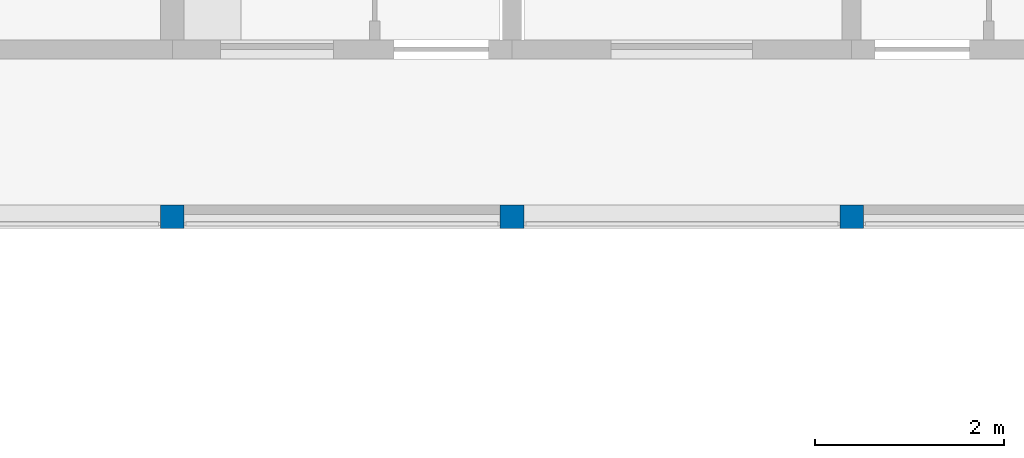
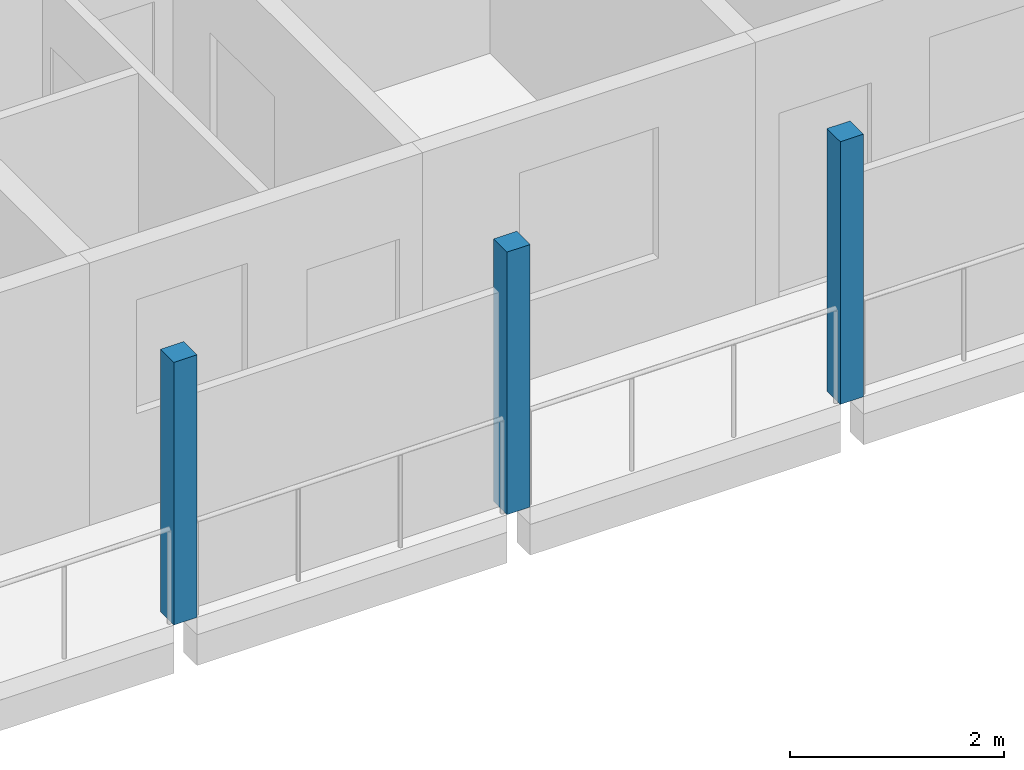
# One storey, part 9 of 122: 3 columns.
"""IFC4 building model written with IfcOpenShell, lengths in metres."""

import ifcopenshell
import ifcopenshell.guid

model = None  # the IFC model being written
_history = None  # IfcOwnerHistory: only IFC2X3 demands one
_inside = {}  # id of a spatial element -> (the spatial element, [elements in it])
_under = {}  # id of a project, library or spatial element -> (it, [spatial elements below it])
_declared = {}  # id of a project -> (the project, [libraries it declares])
_typed = {}  # id of a type object -> (the type object, [elements of that type])
_made_of = {}  # id of a material, layer set ... -> (it, [elements and type objects made of it])


def new_model(schema):
    """Start an empty IFC model of exactly this schema.

    Asked for "IFC4X3", IfcOpenShell would pick the latest addendum, in which some entities
    have other attributes; the version numbers below select the first issue.
    IFC2X3 requires an IfcOwnerHistory on every rooted entity: one is made here for all.
    """
    global model, _history
    if schema == "IFC4X3":
        model = ifcopenshell.file(schema_version=(4, 3, 0, 0))
    else:
        model = ifcopenshell.file(schema=schema)
    _inside.clear()
    _under.clear()
    _declared.clear()
    _typed.clear()
    _made_of.clear()
    _history = None
    if model.schema == "IFC2X3":
        org = make("IfcOrganization", Name="unknown")
        user = make(
            "IfcPersonAndOrganization",
            ThePerson=make("IfcPerson", FamilyName="unknown"),
            TheOrganization=org,
        )
        app = make(
            "IfcApplication",
            ApplicationDeveloper=org,
            Version="unknown",
            ApplicationFullName="unknown",
            ApplicationIdentifier="unknown",
        )
        _history = make(
            "IfcOwnerHistory",
            OwningUser=user,
            OwningApplication=app,
            ChangeAction="ADDED",
            CreationDate=0,
        )
    return model


def make(cls, **values):
    """One entity of the class cls with the attributes given. An attribute that is None is left unset."""
    return model.create_entity(
        cls, **{name: value for name, value in values.items() if value is not None}
    )


def rooted(cls, **values):
    """An entity with a GlobalId (a new one), such as an element, a storey or a relation."""
    return make(cls, GlobalId=ifcopenshell.guid.new(), OwnerHistory=_history, **values)


def si_unit(unit_type, name, prefix=None):
    """IfcSIUnit, for example si_unit("LENGTHUNIT", "METRE", prefix="MILLI")."""
    return make("IfcSIUnit", UnitType=unit_type, Prefix=prefix, Name=name)


def assignment(units):
    """IfcUnitAssignment: the units of a project."""
    return None if units is None else make("IfcUnitAssignment", Units=units)


def point(xyz):
    """IfcCartesianPoint."""
    return None if xyz is None else make("IfcCartesianPoint", Coordinates=xyz)


def direction(xyz):
    """IfcDirection."""
    return None if xyz is None else make("IfcDirection", DirectionRatios=xyz)


def frame(location, z_axis=None, x_axis=None):
    """IfcAxis2Placement3D, a coordinate frame: its origin and axes. An axis left out is left unset."""
    return make(
        "IfcAxis2Placement3D",
        Location=point(location),
        Axis=direction(z_axis),
        RefDirection=direction(x_axis),
    )


def frame_2d(location, x_axis=None):
    """IfcAxis2Placement2D, a coordinate frame in the plane: its origin and x axis."""
    return make(
        "IfcAxis2Placement2D", Location=point(location), RefDirection=direction(x_axis)
    )


def origin():
    """The frame at (0, 0, 0) with its axes left unset."""
    return frame((0.0, 0.0, 0.0))


def origin_2d():
    """The frame at (0, 0) in the plane with its x axis left unset."""
    return frame_2d((0.0, 0.0))


def place(relative_to, where):
    """IfcLocalPlacement: puts the frame where relative to a parent placement (None: the world)."""
    return make(
        "IfcLocalPlacement", PlacementRelTo=relative_to, RelativePlacement=where
    )


def context(
    kind, dimensions, precision=None, world=None, true_north=None, identifier=None
):
    """IfcGeometricRepresentationContext, for example the 3D "Model" context."""
    return make(
        "IfcGeometricRepresentationContext",
        ContextIdentifier=identifier,
        ContextType=kind,
        CoordinateSpaceDimension=dimensions,
        Precision=precision,
        WorldCoordinateSystem=world,
        TrueNorth=true_north,
    )


def subcontext(parent, identifier, kind, view, scale=None):
    """IfcGeometricRepresentationSubContext, for example "Body" below "Model"."""
    return make(
        "IfcGeometricRepresentationSubContext",
        ContextIdentifier=identifier,
        ContextType=kind,
        ParentContext=parent,
        TargetScale=scale,
        TargetView=view,
    )


def project(units=None, contexts=None):
    """IfcProject with its units and contexts."""
    return rooted(
        "IfcProject",
        Name="project",
        RepresentationContexts=contexts,
        UnitsInContext=assignment(units),
    )


def spatial(cls, under=None, at=None, **own):
    """A site, building, storey or space (cls), placed at a placement, below another one or the project."""
    s = rooted(cls, ObjectPlacement=at, **own)
    if under is not None:
        _under.setdefault(under.id(), (under, []))[1].append(s)
    return s


def profile(cls, at=None, kind="AREA", **sizes):
    """A parametric profile (cls). Its sizes go by their IFC names, for example OverallWidth=200.0."""
    return make(cls, ProfileType=kind, Position=at, **sizes)


def rectangle(**sizes):
    """IfcRectangleProfileDef."""
    return profile("IfcRectangleProfileDef", **sizes)


def extrude(swept, where, along, depth):
    """IfcExtrudedAreaSolid: the profile swept, set in the frame where, extruded along a direction by depth."""
    return make(
        "IfcExtrudedAreaSolid",
        SweptArea=swept,
        Position=where,
        ExtrudedDirection=direction(along),
        Depth=depth,
    )


def shape(context_of_items, identifier, shape_type, items):
    """IfcShapeRepresentation: the items that make up one representation, for example the "Body"."""
    return make(
        "IfcShapeRepresentation",
        ContextOfItems=context_of_items,
        RepresentationIdentifier=identifier,
        RepresentationType=shape_type,
        Items=items,
    )


def material(Name=None, Category=None):
    """IfcMaterial."""
    return make("IfcMaterial", Name=Name, Category=Category)


def material_profile(
    of_material, cross_section, Name=None, Category=None, Priority=None
):
    """IfcMaterialProfile: a cross section and its material."""
    return make(
        "IfcMaterialProfile",
        Name=Name,
        Material=of_material,
        Profile=cross_section,
        Priority=Priority,
        Category=Category,
    )


def profile_set(profiles, Name=None, composite=None):
    """IfcMaterialProfileSet."""
    return make(
        "IfcMaterialProfileSet",
        Name=Name,
        MaterialProfiles=profiles,
        CompositeProfile=composite,
    )


def made_of(thing, what):
    """Note that an element or type object is made of a material, layer set ...; save() writes the relation."""
    if what is not None:
        _made_of.setdefault(what.id(), (what, []))[1].append(thing)
    return thing


def type_object(cls, material=None, **own):
    """A type object (cls), such as IfcWallType, which elements share."""
    return made_of(rooted(cls, **own), material)


def element(
    cls,
    number,
    at=None,
    inside=None,
    cuts=None,
    type_object=None,
    material=None,
    context=None,
    identifier="Body",
    shape_type=None,
    held_by="IfcProductDefinitionShape",
    body=None,
    shapes=None,
    **own,
):
    """One element of the class cls, such as IfcWall. Its Tag is "e" and its number.

    at: its placement. inside: the storey or other place that contains it. cuts: it is an
    opening in that element (IfcRelVoidsElement). A single representation is given by context,
    identifier, shape_type and body (its items); several are given by shapes. held_by: the class
    of the entity that holds the representations. save() writes the other relations.
    """
    e = rooted(cls, Tag="e%d" % number, ObjectPlacement=at, **own)
    if body is not None:
        shapes = [shape(context, identifier, shape_type, body)]
    if shapes is not None:
        e.Representation = make(held_by, Representations=shapes)
    if inside is not None:
        _inside.setdefault(inside.id(), (inside, []))[1].append(e)
    if cuts is not None:
        rooted(
            "IfcRelVoidsElement", RelatingBuildingElement=cuts, RelatedOpeningElement=e
        )
    if type_object is not None:
        _typed.setdefault(type_object.id(), (type_object, []))[1].append(e)
    return made_of(e, material)


def aggregate(whole, parts):
    """IfcRelAggregates: a whole, such as a stair, and the parts it consists of."""
    return rooted("IfcRelAggregates", RelatingObject=whole, RelatedObjects=parts)


def save(model, path):
    """Write the relations noted so far, then the file.

    IfcRelAggregates (storeys below a building ...), IfcRelContainedInSpatialStructure (elements
    in a storey), IfcRelDefinesByType, IfcRelAssociatesMaterial and IfcRelDeclares: one each for
    every whole, place, type object, material and project.
    """
    for whole, parts in _under.values():
        aggregate(whole, parts)
    for where, things in _inside.values():
        rooted(
            "IfcRelContainedInSpatialStructure",
            RelatedElements=things,
            RelatingStructure=where,
        )
    for kind, things in _typed.values():
        rooted("IfcRelDefinesByType", RelatedObjects=things, RelatingType=kind)
    for what, things in _made_of.values():
        rooted("IfcRelAssociatesMaterial", RelatedObjects=things, RelatingMaterial=what)
    for by, libraries in _declared.values():
        rooted("IfcRelDeclares", RelatingContext=by, RelatedDefinitions=libraries)
    model.write(path)


model = new_model("IFC4")

# Units and contexts
model_context = context("Model", 3, precision=1e-05, world=origin(), true_north=direction((0.0, 1.0)))
body_context = subcontext(model_context, "Body", "Model", "MODEL_VIEW")
ifc_project = project(units=[si_unit("LENGTHUNIT", "METRE"), si_unit("AREAUNIT", "SQUARE_METRE"), si_unit("VOLUMEUNIT", "CUBIC_METRE"), si_unit("PLANEANGLEUNIT", "RADIAN"), si_unit("MASSUNIT", "GRAM", prefix="KILO")], contexts=[model_context])

# Site, building, storey
site_placement = place(None, origin())
site = spatial("IfcSite", under=ifc_project, at=site_placement, CompositionType="ELEMENT")
building_placement = place(site_placement, origin())
building = spatial("IfcBuilding", under=site, at=building_placement, Name="Ridgestep Commons", CompositionType="ELEMENT")
storey_placement = place(building_placement, frame((0.0, 0.0, 3.0)))
storey = spatial("IfcBuildingStorey", under=building, at=storey_placement, Name="L01", CompositionType="ELEMENT", Elevation=3.0)

# Columns
ifc_material = material(Name="Precast concrete C40/50", Category="concrete")
ifc_material_profile = material_profile(ifc_material, rectangle(XDim=0.25, YDim=0.25, at=origin_2d()), Name="PC 250x250")
ifc_profile_set = profile_set([ifc_material_profile], Name="Precast concrete C40/50")
column_type = type_object("IfcColumnType", Name="Loggia column 250 x 250", PredefinedType="COLUMN", material=ifc_profile_set)
for number, where, z_axis, x_axis, name in (
    (1, (236.800048828125, 66.125, 0.0), (0.0, 0.0, 1.0), (1.0, 0.0, 0.0), "Loggia column C L01"),
    (2, (240.39990234375, 66.125, 0.0), (0.0, 0.0, 1.0), (1.0, 0.0, 0.0), "Loggia column C L01"),
    (3, (244.0, 66.125, 0.0), (0.0, 0.0, 1.0), (1.0, 0.0, 0.0), "Loggia column C L01"),
):
    element("IfcColumn", number, at=place(storey_placement, frame(where, z_axis=z_axis, x_axis=x_axis)), inside=storey, type_object=column_type, Name=name, PredefinedType="COLUMN", context=body_context, shape_type="SweptSolid", body=[
        extrude(rectangle(XDim=0.25, YDim=0.25, at=origin_2d()), origin(), (0.0, 0.0, 1.0), 3.0),
    ])

save(model, "model.ifc")
